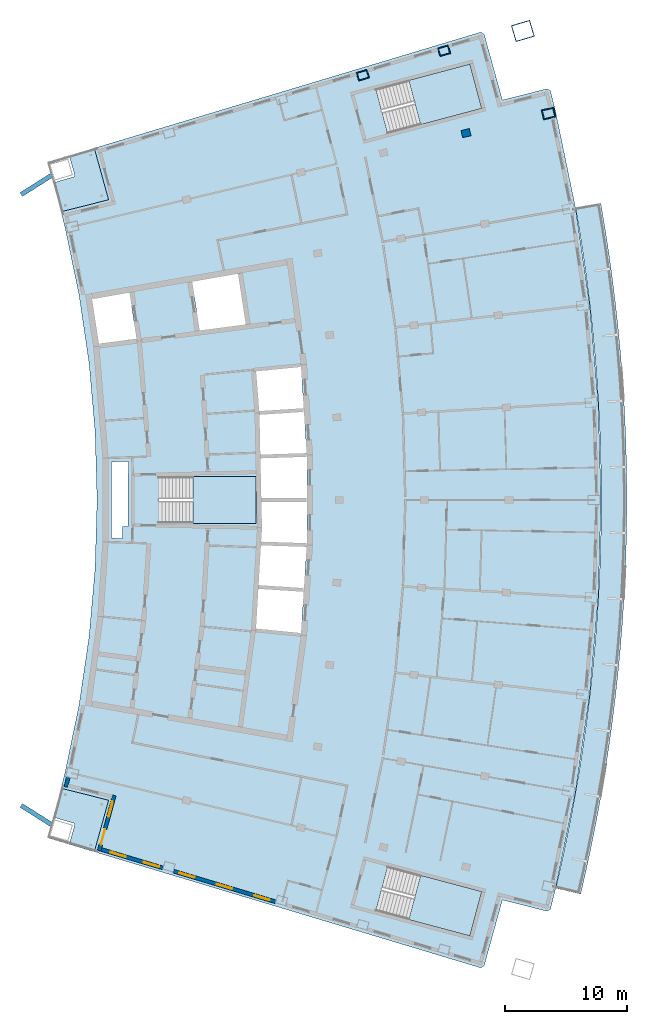
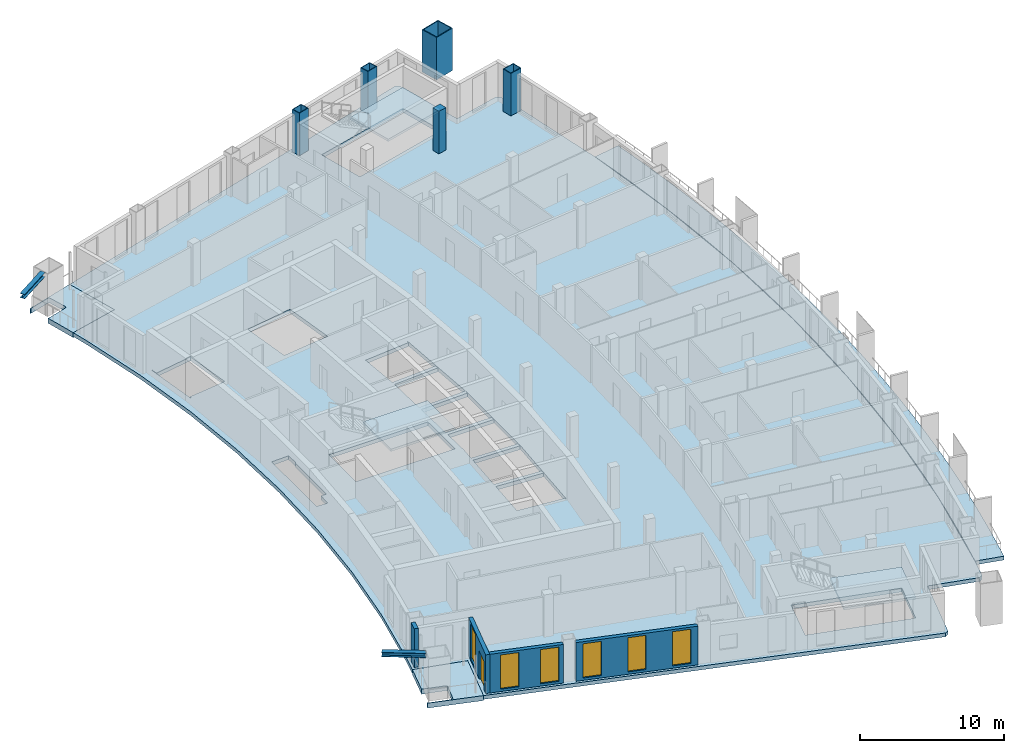
# One storey, part 6 of 17: 7 slabs, 6 windows, 5 columns, 4 walls, 2 members, 1 door, 7 openings, 3 elements without a shape of their own.
"""IFC4 building model written with IfcOpenShell, lengths in metres."""

from ifc_helpers import new_model, si_unit, direction, frame, frame_2d, origin, origin_2d, place, context, subcontext, project, spatial, polyline, rectangle, hollow_rectangle, i_section, outline, extrude, material, layer, layer_set, material_profile, profile_set, type_object, element, fill, aggregate, save


model = new_model("IFC4")

# Units and contexts
model_context = context("Model", 3, precision=1e-05, world=origin(), true_north=direction((0.0, 1.0)))
body_context = subcontext(model_context, "Body", "Model", "MODEL_VIEW")
ifc_project = project(units=[si_unit("LENGTHUNIT", "METRE"), si_unit("AREAUNIT", "SQUARE_METRE"), si_unit("VOLUMEUNIT", "CUBIC_METRE"), si_unit("PLANEANGLEUNIT", "RADIAN"), si_unit("MASSUNIT", "GRAM", prefix="KILO")], contexts=[model_context])

# Site, building, storey
site_placement = place(None, origin())
site = spatial("IfcSite", under=ifc_project, at=site_placement, CompositionType="ELEMENT")
building_placement = place(site_placement, origin())
building = spatial("IfcBuilding", under=site, at=building_placement, Name="Alderwake Tower", CompositionType="ELEMENT")
storey_placement = place(building_placement, frame((0.0, 0.0, 260.0)))
storey = spatial("IfcBuildingStorey", under=building, at=storey_placement, Name="L64", CompositionType="ELEMENT", Elevation=260.0)

# Columns
ifc_material_1 = material(Name="Steel ASTM A572 Grade 50 concrete filled C70/85", Category="concrete")
ifc_material_profile_1 = material_profile(ifc_material_1, hollow_rectangle(XDim=0.699951171875, YDim=0.89990234375, WallThickness=0.050048828125, at=origin_2d()), Name="BOX 900X700X50")
ifc_profile_set_1 = profile_set([ifc_material_profile_1], Name="Steel ASTM A572 Grade 50 concrete filled C70/85")
column_type_1 = type_object("IfcColumnType", Name="End column Z5", PredefinedType="COLUMN", material=ifc_profile_set_1)
for number, where, z_axis, x_axis, name in (
    (1, (37.720947265625, 95.716796875, 0.0), (0.0, 0.0, 1.0), (-0.282862128353, 0.959160579019, 0.0), "Column R12-C3"),
    (2, (44.361572265625, 97.71044921875, 0.0), (0.0, 0.0, 1.0), (-0.28311490023, 0.95908599889, 0.0), "Column R12-C4"),
):
    element("IfcColumn", number, at=place(storey_placement, frame(where, z_axis=z_axis, x_axis=x_axis)), inside=storey, type_object=column_type_1, Name=name, PredefinedType="COLUMN", context=body_context, shape_type="SweptSolid", body=[
        extrude(hollow_rectangle(XDim=0.699951171875, YDim=0.89990234375, WallThickness=0.050048828125, at=origin_2d()), origin(), (0.0, 0.0, 1.0), 3.60009765625),
    ])
ifc_material_2 = material(Name="Concrete C70/85", Category="concrete")
ifc_material_profile_2 = material_profile(ifc_material_2, rectangle(XDim=0.60009765625, YDim=0.699951171875, at=origin_2d()), Name="RC 700X600")
ifc_profile_set_2 = profile_set([ifc_material_profile_2], Name="Concrete C70/85")
column_type_2 = type_object("IfcColumnType", Name="Interior column Z5", PredefinedType="COLUMN", material=ifc_profile_set_2)
column_1_placement = place(storey_placement, frame((46.15283203125, 90.981689453125, 0.0), z_axis=(0.0, 0.0, 1.0), x_axis=(-0.231221547198, 0.972901123502, 0.0)))
element("IfcColumn", 3, at=column_1_placement, inside=storey, type_object=column_type_2, Name="Column R11-C4", PredefinedType="COLUMN", context=body_context, shape_type="SweptSolid", body=[
    extrude(rectangle(XDim=0.60009765625, YDim=0.699951171875, at=origin_2d()), origin(), (0.0, 0.0, 1.0), 3.60009765625),
])
ifc_material_3 = material(Name="Steel ASTM A572 Grade 50 concrete filled C70/85", Category="concrete")
ifc_material_profile_3 = material_profile(ifc_material_3, hollow_rectangle(XDim=1.39990234375, YDim=1.60009765625, WallThickness=0.070068359375, at=origin_2d()), Name="BOX 1600X1400X70")
ifc_profile_set_3 = profile_set([ifc_material_profile_3], Name="Steel ASTM A572 Grade 50 concrete filled C70/85")
column_type_3 = type_object("IfcColumnType", Name="Mega column Z5", PredefinedType="COLUMN", material=ifc_profile_set_3)
column_2_placement = place(storey_placement, frame((50.798828125, 99.33203125, 0.0), z_axis=(0.0, 0.0, 1.0), x_axis=(-0.281232869624, 0.959639553709, 0.0)))
element("IfcColumn", 4, at=column_2_placement, inside=storey, type_object=column_type_3, Name="Column R12-C5", PredefinedType="COLUMN", context=body_context, shape_type="SweptSolid", body=[
    extrude(hollow_rectangle(XDim=1.39990234375, YDim=1.60009765625, WallThickness=0.070068359375, at=origin_2d()), origin(), (0.0, 0.0, 1.0), 3.60009765625),
])
ifc_material_4 = material(Name="Steel ASTM A572 Grade 50 concrete filled C70/85", Category="concrete")
ifc_material_profile_4 = material_profile(ifc_material_4, hollow_rectangle(XDim=0.800048828125, YDim=1.0, WallThickness=0.054931640625, at=origin_2d()), Name="BOX 1000X800X55")
ifc_profile_set_4 = profile_set([ifc_material_profile_4], Name="Steel ASTM A572 Grade 50 concrete filled C70/85")
column_type_4 = type_object("IfcColumnType", Name="Perimeter column Z5", PredefinedType="COLUMN", material=ifc_profile_set_4)
column_3_placement = place(storey_placement, frame((52.898193359375, 92.5849609375, 0.0), z_axis=(0.0, 0.0, 1.0), x_axis=(-0.231221547198, 0.972901123502, 0.0)))
element("IfcColumn", 5, at=column_3_placement, inside=storey, type_object=column_type_4, Name="Column R11-C5", PredefinedType="COLUMN", context=body_context, shape_type="SweptSolid", body=[
    extrude(hollow_rectangle(XDim=0.800048828125, YDim=1.0, WallThickness=0.054931640625, at=origin_2d()), origin(), (0.0, 0.0, 1.0), 3.60009765625),
])

# Members
ifc_material_5 = material(Name="Steel ASTM A992 Grade 50", Category="steel")
ifc_material_profile_5 = material_profile(ifc_material_5, i_section(OverallWidth=0.3740234375, OverallDepth=0.372314453125, WebThickness=0.016357421875, FlangeThickness=0.026123046875, at=origin_2d()), Name="W14X132")
ifc_profile_set_5 = profile_set([ifc_material_profile_5], Name="Steel ASTM A992 Grade 50")
member_type = type_object("IfcMemberType", Name="Brace node stub W14X132", PredefinedType="MEMBER", material=ifc_profile_set_5)
for number, where, z_axis, x_axis, name in (
    (6, (12.394775390625, 34.39599609375, 3.393798828125), (-0.84496653982, 0.534819171856, 0.0), (-0.534819171856, -0.84496653982, 0.0), "Brace node stub BS.RR02-C0.2636"),
    (7, (12.394775390625, 87.60400390625, 3.393798828125), (-0.84496653982, -0.534819171856, 0.0), (0.534819171856, -0.84496653982, 0.0), "Brace node stub BS.RR12-C0.2636"),
):
    element("IfcMember", number, at=place(storey_placement, frame(where, z_axis=z_axis, x_axis=x_axis)), inside=storey, type_object=member_type, Name=name, PredefinedType="MEMBER", context=body_context, shape_type="SweptSolid", body=[
        extrude(i_section(OverallWidth=0.3740234375, OverallDepth=0.372314453125, WebThickness=0.016357421875, FlangeThickness=0.026123046875, at=origin_2d()), origin(), (0.0, 0.0, 1.0), 3.067626953125),
    ])

# Slabs
ifc_material_6 = material(Name="Concrete C50/60", Category="concrete")
ifc_layer_1 = layer(ifc_material_6, 0.320068359375)
ifc_layer_set_1 = layer_set([ifc_layer_1], Name="Balcony slab 320")
slab_type_1 = type_object("IfcSlabType", Name="Balcony slab 320", PredefinedType="FLOOR", material=ifc_layer_set_1)
slab_1_placement = place(storey_placement, frame((0.0, 0.0, -0.320068359375)))
element("IfcSlab", 8, at=slab_1_placement, inside=storey, type_object=slab_type_1, Name="Balcony BF03", PredefinedType="FLOOR", context=body_context, shape_type="SweptSolid", body=[
    extrude(outline(polyline([(55.98046875, 30.7705078125), (56.40673828125, 32.7568359375), (56.80419921875, 34.7490234375), (57.17236328125, 36.74658203125), (57.511474609375, 38.749755859375), (57.8212890625, 40.75732421875), (58.101806640625, 42.769287109375), (58.35302734375, 44.78515625), (58.57470703125, 46.804443359375), (58.76708984375, 48.826904296875), (58.9296875, 50.851806640625), (59.06298828125, 52.87890625), (59.166748046875, 54.90771484375), (59.24072265625, 56.937744140625), (59.28515625, 58.968505859375), (59.300048828125, 61.0), (59.28515625, 63.031494140625), (59.24072265625, 65.062255859375), (59.166748046875, 67.09228515625), (59.06298828125, 69.12109375), (58.9296875, 71.148193359375), (58.76708984375, 73.173095703125), (58.57470703125, 75.195556640625), (58.35302734375, 77.21484375), (58.101806640625, 79.230712890625), (57.8212890625, 81.24267578125), (57.511474609375, 83.250244140625), (57.17236328125, 85.25341796875), (55.1044921875, 84.8876953125), (55.4384765625, 82.914794921875), (55.74365234375, 80.9375), (56.02001953125, 78.955810546875), (56.267333984375, 76.970458984375), (56.485595703125, 74.9814453125), (56.675048828125, 72.98974609375), (56.83544921875, 70.995361328125), (56.966552734375, 68.998779296875), (57.068603515625, 67.00048828125), (57.1416015625, 65.001220703125), (57.185302734375, 63.000732421875), (57.199951171875, 61.0), (57.185302734375, 58.999267578125), (57.1416015625, 56.998779296875), (57.068603515625, 54.99951171875), (56.966552734375, 53.001220703125), (56.83544921875, 51.004638671875), (56.675048828125, 49.01025390625), (56.485595703125, 47.0185546875), (56.267333984375, 45.029541015625), (56.02001953125, 43.044189453125), (55.74365234375, 41.0625), (55.4384765625, 39.085205078125), (55.1044921875, 37.1123046875), (54.74169921875, 35.144775390625), (54.350341796875, 33.1826171875), (53.930419921875, 31.226318359375), (53.48193359375, 29.2763671875), (55.525146484375, 28.790771484375), (55.98046875, 30.7705078125)])), origin(), (0.0, 0.0, 1.0), 0.320068359375),
])
ifc_material_7 = material(Name="Concrete C50/60", Category="concrete")
ifc_layer_2 = layer(ifc_material_7, 0.320068359375)
ifc_layer_set_2 = layer_set([ifc_layer_2], Name="Concrete C50/60 post-tensioned flat plate 320")
slab_type_2 = type_object("IfcSlabType", Name="Concrete C50/60 post-tensioned flat plate 320", PredefinedType="FLOOR", material=ifc_layer_set_2)
slab_2_placement = place(storey_placement, frame((0.0, 0.0, -0.320068359375)))
element("IfcSlab", 9, at=slab_2_placement, inside=storey, type_object=slab_type_2, Name="Floor slab L64", PredefinedType="FLOOR", context=body_context, shape_type="SweptSolid", body=[
    extrude(outline(polyline([(13.06494140625, 37.443115234375), (13.3984375, 38.802734375), (14.53369140625, 44.28564453125), (15.347412109375, 49.825439453125), (15.836669921875, 55.4033203125), (16.0, 61.0), (15.836669921875, 66.5966796875), (15.347412109375, 72.174560546875), (14.53369140625, 77.71435546875), (13.3984375, 83.197265625), (13.06494140625, 84.556884765625), (16.942626953125, 85.53857421875), (15.776611328125, 89.7548828125), (47.35400390625, 99.2353515625), (47.6357421875, 99.079833984375), (49.12744140625, 93.685302734375), (52.7822265625, 94.6103515625), (53.06005859375, 94.443359375), (53.48193359375, 92.7236328125), (55.1044921875, 84.8876953125), (56.267333984375, 76.970458984375), (56.966552734375, 68.998779296875), (57.199951171875, 61.0), (56.966552734375, 53.001220703125), (56.267333984375, 45.029541015625), (55.1044921875, 37.1123046875), (53.48193359375, 29.2763671875), (53.06005859375, 27.556640625), (52.7822265625, 27.3896484375), (49.12744140625, 28.314697265625), (47.6357421875, 22.920166015625), (47.35400390625, 22.7646484375), (15.776611328125, 32.2451171875), (16.942626953125, 36.46142578125), (13.06494140625, 37.443115234375)]), holes=[polyline([(28.9853515625, 50.4306640625), (28.989013671875, 50.430419921875), (28.994140625, 50.485595703125), (32.646484375, 50.128173828125), (32.6318359375, 49.978759765625), (32.661865234375, 49.975830078125), (32.90087890625, 53.64794921875), (33.139892578125, 57.320068359375), (33.139892578125, 61.0), (33.139892578125, 64.679931640625), (32.90087890625, 68.35205078125), (32.661865234375, 72.024169921875), (32.6318359375, 72.021240234375), (32.646484375, 71.871826171875), (28.993896484375, 71.514404296875), (29.256591796875, 68.264892578125), (32.861083984375, 68.499755859375), (32.87109375, 68.35009765625), (32.880615234375, 68.200439453125), (29.278564453125, 67.9658203125), (29.274169921875, 68.032470703125), (29.2705078125, 68.0322265625), (29.34423828125, 64.70654296875), (33.105224609375, 64.828857421875), (33.110107421875, 64.678955078125), (33.114990234375, 64.529052734375), (29.350830078125, 64.406494140625), (29.4228515625, 61.14990234375), (33.110107421875, 61.14990234375), (33.110107421875, 61.0), (33.110107421875, 60.85009765625), (29.429443359375, 60.85009765625), (29.4765625, 58.72314453125), (29.409423828125, 57.591552734375), (33.114990234375, 57.470947265625), (33.110107421875, 57.321044921875), (33.105224609375, 57.171142578125), (29.395751953125, 57.291748046875), (29.39599609375, 57.3017578125), (29.392333984375, 57.302001953125), (29.198974609375, 54.039306640625), (32.880615234375, 53.799560546875), (32.87109375, 53.64990234375), (32.861083984375, 53.500244140625), (29.181396484375, 53.739990234375), (28.9853515625, 50.4306640625)]), polyline([(21.050048828125, 62.875), (21.050048828125, 59.125), (29.0, 59.125), (29.0, 62.875), (21.050048828125, 62.875)]), polyline([(15.54345703125, 77.892822265625), (15.437744140625, 77.874267578125), (15.4384765625, 77.87060546875), (15.519287109375, 77.8828125), (16.180908203125, 73.579833984375), (16.210693359375, 73.583740234375), (16.184814453125, 73.781982421875), (19.224609375, 74.1796875), (18.656005859375, 77.940673828125), (18.852294921875, 77.97021484375), (18.8505859375, 77.980224609375), (15.626220703125, 77.418212890625), (15.54345703125, 77.892822265625)]), polyline([(27.521240234375, 79.491943359375), (23.77783203125, 78.83935546875), (24.384033203125, 74.858642578125), (24.3642578125, 74.855712890625), (24.36474609375, 74.851806640625), (28.152587890625, 75.347412109375), (27.521240234375, 79.491943359375)]), polyline([(47.436279296875, 28.996826171875), (39.754150390625, 31.043212890625), (38.7890625, 27.41943359375), (46.47119140625, 25.373291015625), (47.436279296875, 28.996826171875)]), polyline([(46.47119140625, 96.626708984375), (38.7890625, 94.58056640625), (39.754150390625, 90.956787109375), (47.436279296875, 93.003173828125), (46.47119140625, 96.626708984375)]), polyline([(17.189453125, 64.114990234375), (17.189453125, 57.885009765625), (18.06298828125, 57.85400390625), (18.090576171875, 58.84375), (18.544189453125, 58.831298828125), (18.529296875, 58.8681640625), (18.5234375, 58.891845703125), (18.5185546875, 58.940673828125), (18.5185546875, 63.060302734375), (18.5234375, 63.109130859375), (18.53759765625, 63.156005859375), (18.560791015625, 63.19921875), (18.588623046875, 63.2333984375), (18.562744140625, 64.16357421875), (17.189453125, 64.114990234375)])]), origin(), (0.0, 0.0, 1.0), 0.320068359375),
])

# Stair, slab
ifc_material_8 = material(Name="Concrete C40/50", Category="concrete")
stair_type = type_object("IfcStairType", Name="Core exit stair", PredefinedType="HALF_TURN_STAIR", material=ifc_material_8)
stair_1_placement = place(storey_placement, origin())
stair_1 = element("IfcStair", 10, at=stair_1_placement, inside=storey, type_object=stair_type, Name="L64 Exit Stair B", PredefinedType="HALF_TURN_STAIR")
ifc_material_9 = material(Name="Concrete C40/50", Category="concrete")
ifc_layer_3 = layer(ifc_material_9, 0.199951171875)
ifc_layer_set_3 = layer_set([ifc_layer_3], Name="Core stair landing 200")
slab_type_3 = type_object("IfcSlabType", Name="Core stair landing 200", PredefinedType="LANDING", material=ifc_layer_set_3)
slab_3_placement = place(storey_placement, frame((0.0, 0.0, 1.60009765625)))
slab_3 = element("IfcSlab", 11, at=slab_3_placement, type_object=slab_type_3, Name="ST-B landing 1", PredefinedType="LANDING", context=body_context, shape_type="SweptSolid", body=[
    extrude(outline(polyline([(23.830078125, 59.074951171875), (29.0, 59.074951171875), (29.0, 62.925048828125), (23.830078125, 62.925048828125), (23.830078125, 59.074951171875)])), origin(), (0.0, 0.0, 1.0), 0.199951171875),
])
aggregate(stair_1, [slab_3])

stair_2_placement = place(storey_placement, origin())
stair_2 = element("IfcStair", 12, at=stair_2_placement, inside=storey, type_object=stair_type, Name="L64 Exit Stair A", PredefinedType="HALF_TURN_STAIR")
slab_4_placement = place(storey_placement, frame((0.0, 0.0, 1.60009765625)))
slab_4 = element("IfcSlab", 13, at=slab_4_placement, type_object=slab_type_3, Name="ST-A landing 1", PredefinedType="LANDING", context=body_context, shape_type="SweptSolid", body=[
    extrude(outline(polyline([(42.440673828125, 91.67236328125), (47.436279296875, 93.003173828125), (46.47119140625, 96.626708984375), (41.475341796875, 95.296142578125), (42.440673828125, 91.67236328125)])), origin(), (0.0, 0.0, 1.0), 0.199951171875),
])
aggregate(stair_2, [slab_4])

stair_3_placement = place(storey_placement, origin())
stair_3 = element("IfcStair", 14, at=stair_3_placement, inside=storey, type_object=stair_type, Name="L64 Exit Stair C", PredefinedType="HALF_TURN_STAIR")
slab_5_placement = place(storey_placement, frame((0.0, 0.0, 1.60009765625)))
slab_5 = element("IfcSlab", 15, at=slab_5_placement, type_object=slab_type_3, Name="ST-C landing 1", PredefinedType="LANDING", context=body_context, shape_type="SweptSolid", body=[
    extrude(outline(polyline([(41.475341796875, 26.703857421875), (46.47119140625, 25.373291015625), (47.436279296875, 28.996826171875), (42.4404296875, 30.32763671875), (41.475341796875, 26.703857421875)])), origin(), (0.0, 0.0, 1.0), 0.199951171875),
])
aggregate(stair_3, [slab_5])

# Slabs
ifc_material_10 = material(Name="Concrete C50/60", Category="concrete")
ifc_layer_4 = layer(ifc_material_10, 0.419921875)
ifc_layer_set_4 = layer_set([ifc_layer_4], Name="Terrace slab 420")
slab_type_4 = type_object("IfcSlabType", Name="Terrace slab 420", PredefinedType="FLOOR", material=ifc_layer_set_4)
slab_6_placement = place(storey_placement, frame((0.0, 0.0, -0.419921875)))
element("IfcSlab", 16, at=slab_6_placement, inside=storey, type_object=slab_type_4, Name="Corner terrace RS", PredefinedType="FLOOR", context=body_context, shape_type="SweptSolid", body=[
    extrude(outline(polyline([(15.776611328125, 32.2451171875), (11.945556640625, 33.395263671875), (11.9697265625, 33.478271484375), (11.97607421875, 33.46826171875), (11.985107421875, 33.456298828125), (11.9951171875, 33.44580078125), (12.006103515625, 33.435791015625), (12.017822265625, 33.42724609375), (12.03076171875, 33.419921875), (12.0439453125, 33.413818359375), (12.05810546875, 33.408935546875), (13.594482421875, 32.963134765625), (13.60888671875, 32.959716796875), (13.62353515625, 32.957763671875), (13.63818359375, 32.957275390625), (13.65283203125, 32.9580078125), (13.66748046875, 32.96044921875), (13.681640625, 32.964111328125), (13.695556640625, 32.969482421875), (13.708740234375, 32.975830078125), (13.72119140625, 32.9833984375), (13.73291015625, 32.992431640625), (13.74365234375, 33.00244140625), (13.75341796875, 33.013427734375), (13.76220703125, 33.025390625), (13.76953125, 33.0380859375), (13.775634765625, 33.051513671875), (13.780517578125, 33.0654296875), (14.17041015625, 34.409912109375), (14.173828125, 34.42431640625), (14.17578125, 34.43896484375), (14.176513671875, 34.45361328125), (14.175537109375, 34.46826171875), (14.173095703125, 34.48291015625), (14.16943359375, 34.4970703125), (14.164306640625, 34.510986328125), (14.157958984375, 34.524169921875), (14.150146484375, 34.53662109375), (14.14111328125, 34.54833984375), (14.131103515625, 34.55908203125), (14.1201171875, 34.56884765625), (14.1083984375, 34.577392578125), (14.095458984375, 34.5849609375), (14.082275390625, 34.591064453125), (14.068115234375, 34.595947265625), (12.531494140625, 35.04150390625), (12.517333984375, 35.044921875), (12.502685546875, 35.047119140625), (12.488037109375, 35.047607421875), (12.473388671875, 35.046630859375), (12.458740234375, 35.044189453125), (12.444580078125, 35.04052734375), (12.4306640625, 35.035400390625), (12.418701171875, 35.029541015625), (12.71142578125, 36.08837890625), (13.06494140625, 37.443115234375), (16.942626953125, 36.46142578125), (15.776611328125, 32.2451171875)])), origin(), (0.0, 0.0, 1.0), 0.419921875),
])
slab_7_placement = place(storey_placement, frame((0.0, 0.0, -0.419921875)))
element("IfcSlab", 17, at=slab_7_placement, inside=storey, type_object=slab_type_4, Name="Corner terrace RN", PredefinedType="FLOOR", context=body_context, shape_type="SweptSolid", body=[
    extrude(outline(polyline([(12.418701171875, 86.970458984375), (12.4306640625, 86.964599609375), (12.444580078125, 86.95947265625), (12.458740234375, 86.955810546875), (12.473388671875, 86.953369140625), (12.488037109375, 86.952392578125), (12.502685546875, 86.952880859375), (12.517333984375, 86.955078125), (12.531494140625, 86.95849609375), (14.068115234375, 87.404052734375), (14.082275390625, 87.408935546875), (14.095458984375, 87.4150390625), (14.1083984375, 87.422607421875), (14.1201171875, 87.43115234375), (14.131103515625, 87.44091796875), (14.14111328125, 87.45166015625), (14.150146484375, 87.46337890625), (14.157958984375, 87.475830078125), (14.164306640625, 87.489013671875), (14.16943359375, 87.5029296875), (14.173095703125, 87.51708984375), (14.175537109375, 87.53173828125), (14.176513671875, 87.54638671875), (14.17578125, 87.56103515625), (14.173828125, 87.57568359375), (14.17041015625, 87.590087890625), (13.780517578125, 88.9345703125), (13.775634765625, 88.948486328125), (13.76953125, 88.9619140625), (13.76220703125, 88.974609375), (13.75341796875, 88.986572265625), (13.74365234375, 88.99755859375), (13.73291015625, 89.007568359375), (13.72119140625, 89.0166015625), (13.708740234375, 89.024169921875), (13.695556640625, 89.030517578125), (13.681640625, 89.035888671875), (13.66748046875, 89.03955078125), (13.65283203125, 89.0419921875), (13.63818359375, 89.042724609375), (13.62353515625, 89.042236328125), (13.60888671875, 89.040283203125), (13.594482421875, 89.036865234375), (12.05810546875, 88.591064453125), (12.0439453125, 88.586181640625), (12.03076171875, 88.580078125), (12.017822265625, 88.57275390625), (12.006103515625, 88.564208984375), (11.9951171875, 88.55419921875), (11.985107421875, 88.543701171875), (11.97607421875, 88.53173828125), (11.9697265625, 88.521728515625), (11.945556640625, 88.604736328125), (15.776611328125, 89.7548828125), (16.942626953125, 85.53857421875), (13.06494140625, 84.556884765625), (12.71142578125, 85.91162109375), (12.418701171875, 86.970458984375)])), origin(), (0.0, 0.0, 1.0), 0.419921875),
])

# Wall
ifc_material_11 = material(Name="Precast concrete C50/60 spandrel panel", Category="concrete")
ifc_layer_5 = layer(ifc_material_11, 0.300048828125)
ifc_layer_set_5 = layer_set([ifc_layer_5], Name="External wall EW1 Precast concrete C50/60 spandrel")
wall_type_1 = type_object("IfcWallType", Name="External wall EW1 Precast concrete C50/60 spandrel", PredefinedType="SOLIDWALL", material=ifc_layer_set_5)
wall_1_placement = place(storey_placement, frame((13.643310546875, 38.33154296875, 0.0), z_axis=(0.0, 0.0, 1.0), x_axis=(-0.238313493867, -0.971188281767, 0.0)))
element("IfcWall", 18, at=wall_1_placement, inside=storey, type_object=wall_type_1, Name="External wall 1", PredefinedType="SOLIDWALL", context=body_context, shape_type="SweptSolid", body=[
    extrude(rectangle(XDim=0.80322265625, YDim=0.300048828125, at=frame_2d((0.401611328125, 0.0))), origin(), (0.0, 0.0, 1.0), 3.280029296875),
])

# Wall, openings, door, window
ifc_material_12 = material(Name="Bronze metal cladding on lightweight framing")
ifc_layer_6 = layer(ifc_material_12, 0.300048828125)
ifc_layer_set_6 = layer_set([ifc_layer_6], Name="External wall EW2 bronze metal cladding")
wall_type_2 = type_object("IfcWallType", Name="External wall EW2 bronze metal cladding", PredefinedType="SOLIDWALL", material=ifc_layer_set_6)
wall_2_placement = place(storey_placement, frame((17.410400390625, 36.85888671875, 0.0), z_axis=(0.0, 0.0, 1.0), x_axis=(-0.264592640785, -0.96436027212, 0.0)))
wall_2 = element("IfcWall", 19, at=wall_2_placement, inside=storey, type_object=wall_type_2, Name="External wall 3", PredefinedType="SOLIDWALL", context=body_context, shape_type="SweptSolid", body=[
    extrude(rectangle(XDim=4.690185546875, YDim=0.300048828125, at=frame_2d((2.34521484375, 0.0))), origin(), (0.0, 0.0, 1.0), 3.280029296875),
])
opening_1_placement = place(wall_2_placement, frame((0.5224609375, 0.0, 0.199951171875)))
opening_1 = element("IfcOpeningElement", 20, at=opening_1_placement, cuts=wall_2, Name="Opening W1", PredefinedType="OPENING", context=body_context, shape_type="SweptSolid", body=[
    extrude(rectangle(XDim=1.300048828125, YDim=2.89990234375, at=frame_2d((0.64990234375, 1.449951171875))), frame((0.0, 0.159912109375, 0.0), z_axis=(0.0, -1.0, 0.0), x_axis=(1.0, 0.0, 0.0)), (0.0, 0.0, 1.0), 0.320068359375),
])
opening_2_placement = place(wall_2_placement, frame((2.867431640625, 0.0, 0.0)))
opening_2 = element("IfcOpeningElement", 21, at=opening_2_placement, cuts=wall_2, Name="Opening D01", PredefinedType="OPENING", context=body_context, shape_type="SweptSolid", body=[
    extrude(rectangle(XDim=1.300048828125, YDim=2.39990234375, at=frame_2d((0.64990234375, 1.199951171875))), frame((0.0, 0.159912109375, 0.0), z_axis=(0.0, -1.0, 0.0), x_axis=(1.0, 0.0, 0.0)), (0.0, 0.0, 1.0), 0.320068359375),
])
ifc_material_13 = material(Name="Bronze tinted glass in aluminium frame", Category="aluminium")
door_type = type_object("IfcDoorType", Name="Balcony door BD sliding", OperationType="SLIDING_TO_LEFT", PredefinedType="DOOR", material=ifc_material_13)
door_placement = place(opening_2_placement, origin())
door = element("IfcDoor", 22, at=door_placement, inside=storey, type_object=door_type, Name="Door D01", OperationType="SLIDING_TO_LEFT", OverallHeight=2.39990234375, OverallWidth=1.300048828125, PredefinedType="DOOR", context=body_context, shape_type="SweptSolid", body=[
    extrude(rectangle(XDim=1.300048828125, YDim=2.39990234375, at=frame_2d((0.64990234375, 1.199951171875))), frame((0.0, 0.02490234375, 0.0), z_axis=(0.0, -1.0, 0.0), x_axis=(1.0, 0.0, 0.0)), (0.0, 0.0, 1.0), 0.050048828125),
])
fill(opening_2, door)
ifc_material_14 = material(Name="Bronze tinted glass in aluminium frame", Category="aluminium")
window_type = type_object("IfcWindowType", Name="Window W1 tall fixed and vent", PartitioningType="DOUBLE_PANEL_VERTICAL", PredefinedType="WINDOW", material=ifc_material_14)
window_1_placement = place(opening_1_placement, origin())
window_1 = element("IfcWindow", 23, at=window_1_placement, inside=storey, type_object=window_type, Name="Window W1 tall fixed and vent", OverallHeight=2.89990234375, OverallWidth=1.300048828125, PartitioningType="DOUBLE_PANEL_VERTICAL", PredefinedType="WINDOW", context=body_context, shape_type="SweptSolid", body=[
    extrude(rectangle(XDim=1.300048828125, YDim=2.89990234375, at=frame_2d((0.64990234375, 1.449951171875))), frame((0.0, 0.030029296875, 0.0), z_axis=(0.0, -1.0, 0.0), x_axis=(1.0, 0.0, 0.0)), (0.0, 0.0, 1.0), 0.06005859375),
])
fill(opening_1, window_1)

# Wall, openings, windows
wall_3_placement = place(storey_placement, frame((16.352783203125, 32.4375, 0.0), z_axis=(0.0, 0.0, 1.0), x_axis=(0.957768668152, -0.287539872551, 0.0)))
wall_3 = element("IfcWall", 24, at=wall_3_placement, inside=storey, type_object=wall_type_2, Name="External wall 4", PredefinedType="SOLIDWALL", context=body_context, shape_type="SweptSolid", body=[
    extrude(rectangle(XDim=5.249755859375, YDim=0.300048828125, at=frame_2d((2.625, 0.0))), origin(), (0.0, 0.0, 1.0), 3.280029296875),
])
opening_3_placement = place(wall_3_placement, frame((0.775390625, 0.0, 0.199951171875)))
opening_3 = element("IfcOpeningElement", 25, at=opening_3_placement, cuts=wall_3, Name="Opening W1", PredefinedType="OPENING", context=body_context, shape_type="SweptSolid", body=[
    extrude(rectangle(XDim=1.300048828125, YDim=2.89990234375, at=frame_2d((0.64990234375, 1.449951171875))), frame((0.0, 0.159912109375, 0.0), z_axis=(0.0, -1.0, 0.0), x_axis=(1.0, 0.0, 0.0)), (0.0, 0.0, 1.0), 0.320068359375),
])
opening_4_placement = place(wall_3_placement, frame((3.626220703125, 0.0, 0.199951171875)))
opening_4 = element("IfcOpeningElement", 26, at=opening_4_placement, cuts=wall_3, Name="Opening W1", PredefinedType="OPENING", context=body_context, shape_type="SweptSolid", body=[
    extrude(rectangle(XDim=1.300048828125, YDim=2.89990234375, at=frame_2d((0.64990234375, 1.449951171875))), frame((0.0, 0.159912109375, 0.0), z_axis=(0.0, -1.0, 0.0), x_axis=(1.0, 0.0, 0.0)), (0.0, 0.0, 1.0), 0.320068359375),
])
window_2_placement = place(opening_3_placement, origin())
window_2 = element("IfcWindow", 27, at=window_2_placement, inside=storey, type_object=window_type, Name="Window W1 tall fixed and vent", OverallHeight=2.89990234375, OverallWidth=1.300048828125, PartitioningType="DOUBLE_PANEL_VERTICAL", PredefinedType="WINDOW", context=body_context, shape_type="SweptSolid", body=[
    extrude(rectangle(XDim=1.300048828125, YDim=2.89990234375, at=frame_2d((0.64990234375, 1.449951171875))), frame((0.0, 0.030029296875, 0.0), z_axis=(0.0, -1.0, 0.0), x_axis=(1.0, 0.0, 0.0)), (0.0, 0.0, 1.0), 0.06005859375),
])
fill(opening_3, window_2)
window_3_placement = place(opening_4_placement, origin())
window_3 = element("IfcWindow", 28, at=window_3_placement, inside=storey, type_object=window_type, Name="Window W1 tall fixed and vent", OverallHeight=2.89990234375, OverallWidth=1.300048828125, PartitioningType="DOUBLE_PANEL_VERTICAL", PredefinedType="WINDOW", context=body_context, shape_type="SweptSolid", body=[
    extrude(rectangle(XDim=1.300048828125, YDim=2.89990234375, at=frame_2d((0.64990234375, 1.449951171875))), frame((0.0, 0.030029296875, 0.0), z_axis=(0.0, -1.0, 0.0), x_axis=(1.0, 0.0, 0.0)), (0.0, 0.0, 1.0), 0.06005859375),
])
fill(opening_4, window_3)

wall_4_placement = place(storey_placement, frame((22.24658203125, 30.668212890625, 0.0), z_axis=(0.0, 0.0, 1.0), x_axis=(0.957762902908, -0.287559075345, 0.0)))
wall_4 = element("IfcWall", 29, at=wall_4_placement, inside=storey, type_object=wall_type_2, Name="External wall 5", PredefinedType="SOLIDWALL", context=body_context, shape_type="SweptSolid", body=[
    extrude(rectangle(XDim=8.696533203125, YDim=0.300048828125, at=frame_2d((4.34814453125, 0.0))), origin(), (0.0, 0.0, 1.0), 3.280029296875),
])
opening_5_placement = place(wall_4_placement, frame((0.498046875, 0.0, 0.199951171875)))
opening_5 = element("IfcOpeningElement", 30, at=opening_5_placement, cuts=wall_4, Name="Opening W1", PredefinedType="OPENING", context=body_context, shape_type="SweptSolid", body=[
    extrude(rectangle(XDim=1.300048828125, YDim=2.89990234375, at=frame_2d((0.64990234375, 1.449951171875))), frame((0.0, 0.159912109375, 0.0), z_axis=(0.0, -1.0, 0.0), x_axis=(1.0, 0.0, 0.0)), (0.0, 0.0, 1.0), 0.320068359375),
])
opening_6_placement = place(wall_4_placement, frame((3.697998046875, 0.0, 0.199951171875)))
opening_6 = element("IfcOpeningElement", 31, at=opening_6_placement, cuts=wall_4, Name="Opening W1", PredefinedType="OPENING", context=body_context, shape_type="SweptSolid", body=[
    extrude(rectangle(XDim=1.300048828125, YDim=2.89990234375, at=frame_2d((0.64990234375, 1.449951171875))), frame((0.0, 0.159912109375, 0.0), z_axis=(0.0, -1.0, 0.0), x_axis=(1.0, 0.0, 0.0)), (0.0, 0.0, 1.0), 0.320068359375),
])
opening_7_placement = place(wall_4_placement, frame((6.898193359375, 0.0, 0.199951171875)))
opening_7 = element("IfcOpeningElement", 32, at=opening_7_placement, cuts=wall_4, Name="Opening W1", PredefinedType="OPENING", context=body_context, shape_type="SweptSolid", body=[
    extrude(rectangle(XDim=1.300048828125, YDim=2.89990234375, at=frame_2d((0.64990234375, 1.449951171875))), frame((0.0, 0.159912109375, 0.0), z_axis=(0.0, -1.0, 0.0), x_axis=(1.0, 0.0, 0.0)), (0.0, 0.0, 1.0), 0.320068359375),
])
window_4_placement = place(opening_5_placement, origin())
window_4 = element("IfcWindow", 33, at=window_4_placement, inside=storey, type_object=window_type, Name="Window W1 tall fixed and vent", OverallHeight=2.89990234375, OverallWidth=1.300048828125, PartitioningType="DOUBLE_PANEL_VERTICAL", PredefinedType="WINDOW", context=body_context, shape_type="SweptSolid", body=[
    extrude(rectangle(XDim=1.300048828125, YDim=2.89990234375, at=frame_2d((0.64990234375, 1.449951171875))), frame((0.0, 0.030029296875, 0.0), z_axis=(0.0, -1.0, 0.0), x_axis=(1.0, 0.0, 0.0)), (0.0, 0.0, 1.0), 0.06005859375),
])
fill(opening_5, window_4)
window_5_placement = place(opening_6_placement, origin())
window_5 = element("IfcWindow", 34, at=window_5_placement, inside=storey, type_object=window_type, Name="Window W1 tall fixed and vent", OverallHeight=2.89990234375, OverallWidth=1.300048828125, PartitioningType="DOUBLE_PANEL_VERTICAL", PredefinedType="WINDOW", context=body_context, shape_type="SweptSolid", body=[
    extrude(rectangle(XDim=1.300048828125, YDim=2.89990234375, at=frame_2d((0.64990234375, 1.449951171875))), frame((0.0, 0.030029296875, 0.0), z_axis=(0.0, -1.0, 0.0), x_axis=(1.0, 0.0, 0.0)), (0.0, 0.0, 1.0), 0.06005859375),
])
fill(opening_6, window_5)
window_6_placement = place(opening_7_placement, origin())
window_6 = element("IfcWindow", 35, at=window_6_placement, inside=storey, type_object=window_type, Name="Window W1 tall fixed and vent", OverallHeight=2.89990234375, OverallWidth=1.300048828125, PartitioningType="DOUBLE_PANEL_VERTICAL", PredefinedType="WINDOW", context=body_context, shape_type="SweptSolid", body=[
    extrude(rectangle(XDim=1.300048828125, YDim=2.89990234375, at=frame_2d((0.64990234375, 1.449951171875))), frame((0.0, 0.030029296875, 0.0), z_axis=(0.0, -1.0, 0.0), x_axis=(1.0, 0.0, 0.0)), (0.0, 0.0, 1.0), 0.06005859375),
])
fill(opening_7, window_6)

save(model, "model.ifc")
